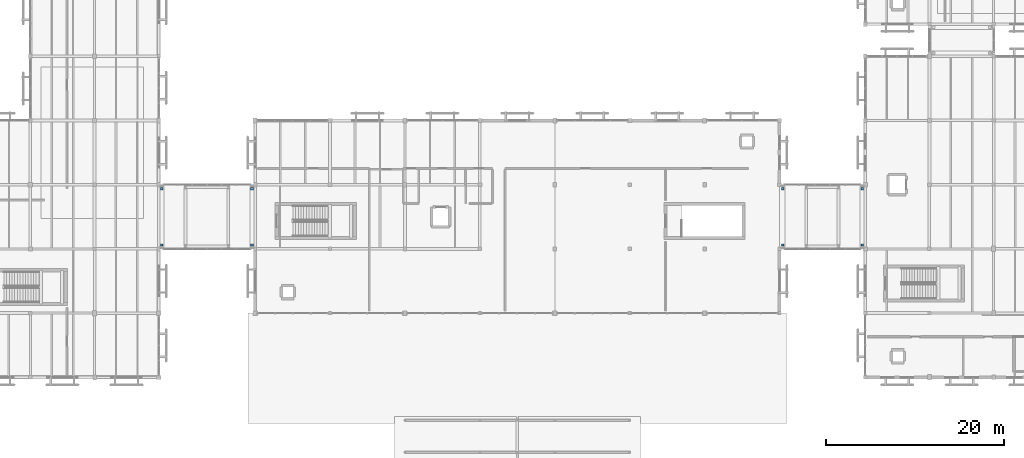
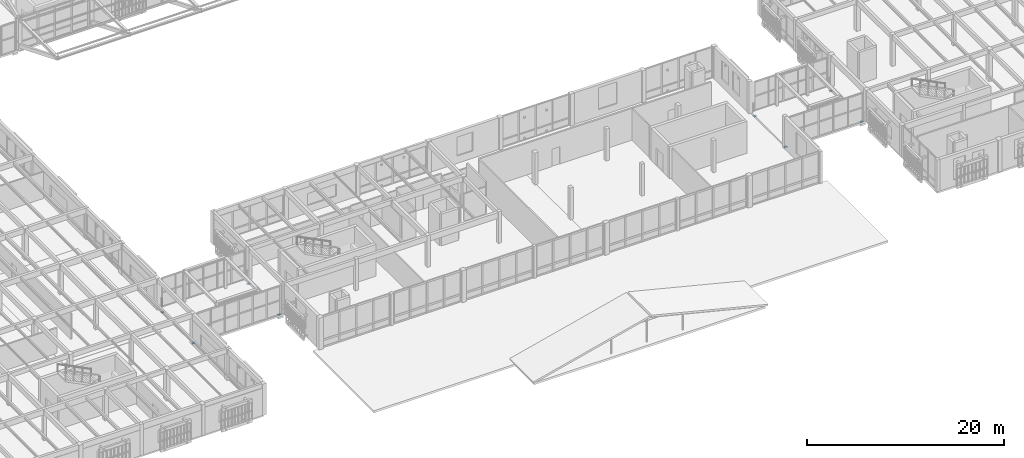
# One storey, part 193 of 217: 8 discrete accessories.
"""IFC4 building model written with IfcOpenShell, lengths in metres."""

import ifcopenshell
import ifcopenshell.guid

model = None  # the IFC model being written
_history = None  # IfcOwnerHistory: only IFC2X3 demands one
_inside = {}  # id of a spatial element -> (the spatial element, [elements in it])
_under = {}  # id of a project, library or spatial element -> (it, [spatial elements below it])
_declared = {}  # id of a project -> (the project, [libraries it declares])
_typed = {}  # id of a type object -> (the type object, [elements of that type])
_made_of = {}  # id of a material, layer set ... -> (it, [elements and type objects made of it])


def new_model(schema):
    """Start an empty IFC model of exactly this schema.

    Asked for "IFC4X3", IfcOpenShell would pick the latest addendum, in which some entities
    have other attributes; the version numbers below select the first issue.
    IFC2X3 requires an IfcOwnerHistory on every rooted entity: one is made here for all.
    """
    global model, _history
    if schema == "IFC4X3":
        model = ifcopenshell.file(schema_version=(4, 3, 0, 0))
    else:
        model = ifcopenshell.file(schema=schema)
    _inside.clear()
    _under.clear()
    _declared.clear()
    _typed.clear()
    _made_of.clear()
    _history = None
    if model.schema == "IFC2X3":
        org = make("IfcOrganization", Name="unknown")
        user = make(
            "IfcPersonAndOrganization",
            ThePerson=make("IfcPerson", FamilyName="unknown"),
            TheOrganization=org,
        )
        app = make(
            "IfcApplication",
            ApplicationDeveloper=org,
            Version="unknown",
            ApplicationFullName="unknown",
            ApplicationIdentifier="unknown",
        )
        _history = make(
            "IfcOwnerHistory",
            OwningUser=user,
            OwningApplication=app,
            ChangeAction="ADDED",
            CreationDate=0,
        )
    return model


def make(cls, **values):
    """One entity of the class cls with the attributes given. An attribute that is None is left unset."""
    return model.create_entity(
        cls, **{name: value for name, value in values.items() if value is not None}
    )


def rooted(cls, **values):
    """An entity with a GlobalId (a new one), such as an element, a storey or a relation."""
    return make(cls, GlobalId=ifcopenshell.guid.new(), OwnerHistory=_history, **values)


def si_unit(unit_type, name, prefix=None):
    """IfcSIUnit, for example si_unit("LENGTHUNIT", "METRE", prefix="MILLI")."""
    return make("IfcSIUnit", UnitType=unit_type, Prefix=prefix, Name=name)


def assignment(units):
    """IfcUnitAssignment: the units of a project."""
    return None if units is None else make("IfcUnitAssignment", Units=units)


def point(xyz):
    """IfcCartesianPoint."""
    return None if xyz is None else make("IfcCartesianPoint", Coordinates=xyz)


def direction(xyz):
    """IfcDirection."""
    return None if xyz is None else make("IfcDirection", DirectionRatios=xyz)


def frame(location, z_axis=None, x_axis=None):
    """IfcAxis2Placement3D, a coordinate frame: its origin and axes. An axis left out is left unset."""
    return make(
        "IfcAxis2Placement3D",
        Location=point(location),
        Axis=direction(z_axis),
        RefDirection=direction(x_axis),
    )


def frame_2d(location, x_axis=None):
    """IfcAxis2Placement2D, a coordinate frame in the plane: its origin and x axis."""
    return make(
        "IfcAxis2Placement2D", Location=point(location), RefDirection=direction(x_axis)
    )


def origin():
    """The frame at (0, 0, 0) with its axes left unset."""
    return frame((0.0, 0.0, 0.0))


def origin_2d():
    """The frame at (0, 0) in the plane with its x axis left unset."""
    return frame_2d((0.0, 0.0))


def place(relative_to, where):
    """IfcLocalPlacement: puts the frame where relative to a parent placement (None: the world)."""
    return make(
        "IfcLocalPlacement", PlacementRelTo=relative_to, RelativePlacement=where
    )


def context(
    kind, dimensions, precision=None, world=None, true_north=None, identifier=None
):
    """IfcGeometricRepresentationContext, for example the 3D "Model" context."""
    return make(
        "IfcGeometricRepresentationContext",
        ContextIdentifier=identifier,
        ContextType=kind,
        CoordinateSpaceDimension=dimensions,
        Precision=precision,
        WorldCoordinateSystem=world,
        TrueNorth=true_north,
    )


def subcontext(parent, identifier, kind, view, scale=None):
    """IfcGeometricRepresentationSubContext, for example "Body" below "Model"."""
    return make(
        "IfcGeometricRepresentationSubContext",
        ContextIdentifier=identifier,
        ContextType=kind,
        ParentContext=parent,
        TargetScale=scale,
        TargetView=view,
    )


def project(units=None, contexts=None):
    """IfcProject with its units and contexts."""
    return rooted(
        "IfcProject",
        Name="project",
        RepresentationContexts=contexts,
        UnitsInContext=assignment(units),
    )


def spatial(cls, under=None, at=None, **own):
    """A site, building, storey or space (cls), placed at a placement, below another one or the project."""
    s = rooted(cls, ObjectPlacement=at, **own)
    if under is not None:
        _under.setdefault(under.id(), (under, []))[1].append(s)
    return s


def profile(cls, at=None, kind="AREA", **sizes):
    """A parametric profile (cls). Its sizes go by their IFC names, for example OverallWidth=200.0."""
    return make(cls, ProfileType=kind, Position=at, **sizes)


def rectangle(**sizes):
    """IfcRectangleProfileDef."""
    return profile("IfcRectangleProfileDef", **sizes)


def extrude(swept, where, along, depth):
    """IfcExtrudedAreaSolid: the profile swept, set in the frame where, extruded along a direction by depth."""
    return make(
        "IfcExtrudedAreaSolid",
        SweptArea=swept,
        Position=where,
        ExtrudedDirection=direction(along),
        Depth=depth,
    )


def shape(context_of_items, identifier, shape_type, items):
    """IfcShapeRepresentation: the items that make up one representation, for example the "Body"."""
    return make(
        "IfcShapeRepresentation",
        ContextOfItems=context_of_items,
        RepresentationIdentifier=identifier,
        RepresentationType=shape_type,
        Items=items,
    )


def material(Name=None, Category=None):
    """IfcMaterial."""
    return make("IfcMaterial", Name=Name, Category=Category)


def made_of(thing, what):
    """Note that an element or type object is made of a material, layer set ...; save() writes the relation."""
    if what is not None:
        _made_of.setdefault(what.id(), (what, []))[1].append(thing)
    return thing


def type_object(cls, material=None, **own):
    """A type object (cls), such as IfcWallType, which elements share."""
    return made_of(rooted(cls, **own), material)


def element(
    cls,
    number,
    at=None,
    inside=None,
    cuts=None,
    type_object=None,
    material=None,
    context=None,
    identifier="Body",
    shape_type=None,
    held_by="IfcProductDefinitionShape",
    body=None,
    shapes=None,
    **own,
):
    """One element of the class cls, such as IfcWall. Its Tag is "e" and its number.

    at: its placement. inside: the storey or other place that contains it. cuts: it is an
    opening in that element (IfcRelVoidsElement). A single representation is given by context,
    identifier, shape_type and body (its items); several are given by shapes. held_by: the class
    of the entity that holds the representations. save() writes the other relations.
    """
    e = rooted(cls, Tag="e%d" % number, ObjectPlacement=at, **own)
    if body is not None:
        shapes = [shape(context, identifier, shape_type, body)]
    if shapes is not None:
        e.Representation = make(held_by, Representations=shapes)
    if inside is not None:
        _inside.setdefault(inside.id(), (inside, []))[1].append(e)
    if cuts is not None:
        rooted(
            "IfcRelVoidsElement", RelatingBuildingElement=cuts, RelatedOpeningElement=e
        )
    if type_object is not None:
        _typed.setdefault(type_object.id(), (type_object, []))[1].append(e)
    return made_of(e, material)


def aggregate(whole, parts):
    """IfcRelAggregates: a whole, such as a stair, and the parts it consists of."""
    return rooted("IfcRelAggregates", RelatingObject=whole, RelatedObjects=parts)


def save(model, path):
    """Write the relations noted so far, then the file.

    IfcRelAggregates (storeys below a building ...), IfcRelContainedInSpatialStructure (elements
    in a storey), IfcRelDefinesByType, IfcRelAssociatesMaterial and IfcRelDeclares: one each for
    every whole, place, type object, material and project.
    """
    for whole, parts in _under.values():
        aggregate(whole, parts)
    for where, things in _inside.values():
        rooted(
            "IfcRelContainedInSpatialStructure",
            RelatedElements=things,
            RelatingStructure=where,
        )
    for kind, things in _typed.values():
        rooted("IfcRelDefinesByType", RelatedObjects=things, RelatingType=kind)
    for what, things in _made_of.values():
        rooted("IfcRelAssociatesMaterial", RelatedObjects=things, RelatingMaterial=what)
    for by, libraries in _declared.values():
        rooted("IfcRelDeclares", RelatingContext=by, RelatedDefinitions=libraries)
    model.write(path)


model = new_model("IFC4")

# Units and contexts
model_context = context("Model", 3, precision=1e-05, world=origin(), true_north=direction((0.0, 1.0)))
body_context = subcontext(model_context, "Body", "Model", "MODEL_VIEW")
ifc_project = project(units=[si_unit("LENGTHUNIT", "METRE"), si_unit("AREAUNIT", "SQUARE_METRE"), si_unit("VOLUMEUNIT", "CUBIC_METRE"), si_unit("PLANEANGLEUNIT", "RADIAN"), si_unit("MASSUNIT", "GRAM", prefix="KILO")], contexts=[model_context])

# Site, building, storey
site_placement = place(None, origin())
site = spatial("IfcSite", under=ifc_project, at=site_placement, CompositionType="ELEMENT")
building_placement = place(site_placement, origin())
building = spatial("IfcBuilding", under=site, at=building_placement, Name="Mazaris Harbour Polytechnic", CompositionType="ELEMENT")
storey_placement = place(building_placement, frame((0.0, 0.0, 9.60009765625)))
storey = spatial("IfcBuildingStorey", under=building, at=storey_placement, Name="L02", CompositionType="ELEMENT", Elevation=9.60009765625)

# Discrete accessories
ifc_material = material(Name="Steel S355", Category="steel")
discrete_accessory_type = type_object("IfcDiscreteAccessoryType", Name="PTFE Sliding Bridge Bearing 300x250x65 Exterior", PredefinedType="BRACKET", material=ifc_material)
for number, where, z_axis, x_axis, name in (
    (1, (43.550048828125, 22.050048828125, -0.330078125), (0.0, 0.0, 1.0), (1.0, 0.0, 0.0), "PB-W1 L02 PTFE Sliding Bearing W1"),
    (2, (43.550048828125, 28.35009765625, -0.330078125), (0.0, 0.0, 1.0), (1.0, 0.0, 0.0), "PB-W1 L02 PTFE Sliding Bearing W2"),
    (3, (53.64990234375, 22.050048828125, -0.330078125), (0.0, 0.0, 1.0), (1.0, 0.0, 0.0), "PB-W1 L02 PTFE Sliding Bearing E1"),
    (4, (53.64990234375, 28.35009765625, -0.330078125), (0.0, 0.0, 1.0), (1.0, 0.0, 0.0), "PB-W1 L02 PTFE Sliding Bearing E2"),
    (5, (113.14990234375, 22.050048828125, -0.330078125), (0.0, 0.0, 1.0), (1.0, 0.0, 0.0), "PB-E1 L02 PTFE Sliding Bearing W1"),
    (6, (113.14990234375, 28.35009765625, -0.330078125), (0.0, 0.0, 1.0), (1.0, 0.0, 0.0), "PB-E1 L02 PTFE Sliding Bearing W2"),
    (7, (122.050048828125, 22.050048828125, -0.330078125), (0.0, 0.0, 1.0), (1.0, 0.0, 0.0), "PB-E1 L02 PTFE Sliding Bearing E1"),
    (8, (122.050048828125, 28.35009765625, -0.330078125), (0.0, 0.0, 1.0), (1.0, 0.0, 0.0), "PB-E1 L02 PTFE Sliding Bearing E2"),
):
    element("IfcDiscreteAccessory", number, at=place(storey_placement, frame(where, z_axis=z_axis, x_axis=x_axis)), inside=storey, type_object=discrete_accessory_type, Name=name, PredefinedType="BRACKET", context=body_context, shape_type="SweptSolid", body=[
        extrude(rectangle(XDim=0.300048828125, YDim=0.25, at=origin_2d()), origin(), (0.0, 0.0, 1.0), 0.06494140625),
    ])

save(model, "model.ifc")
